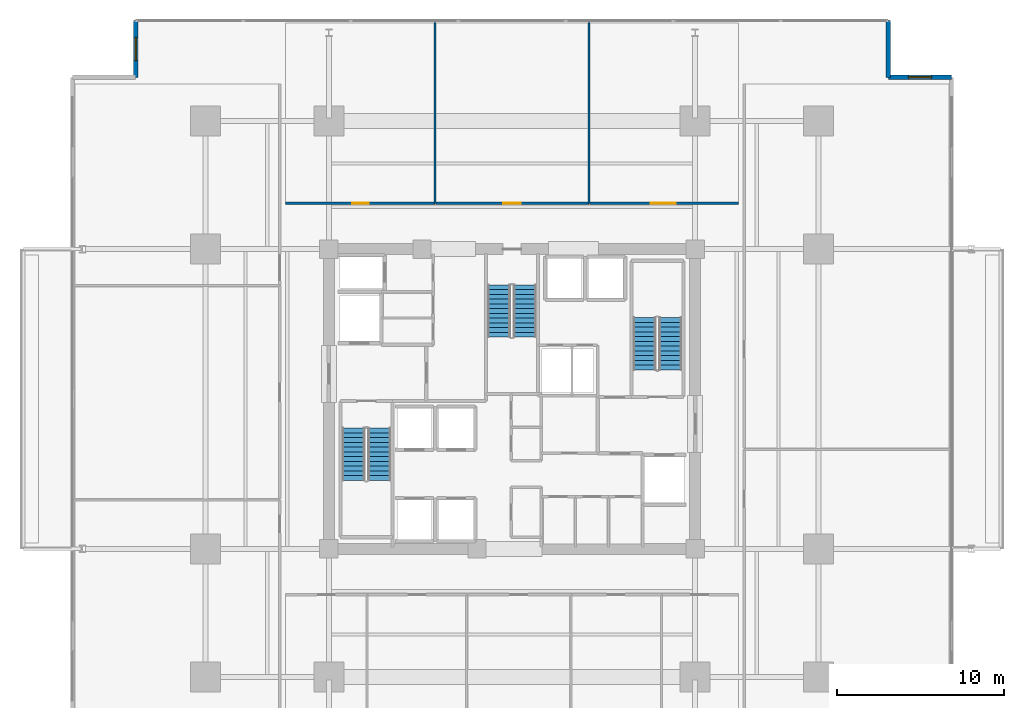
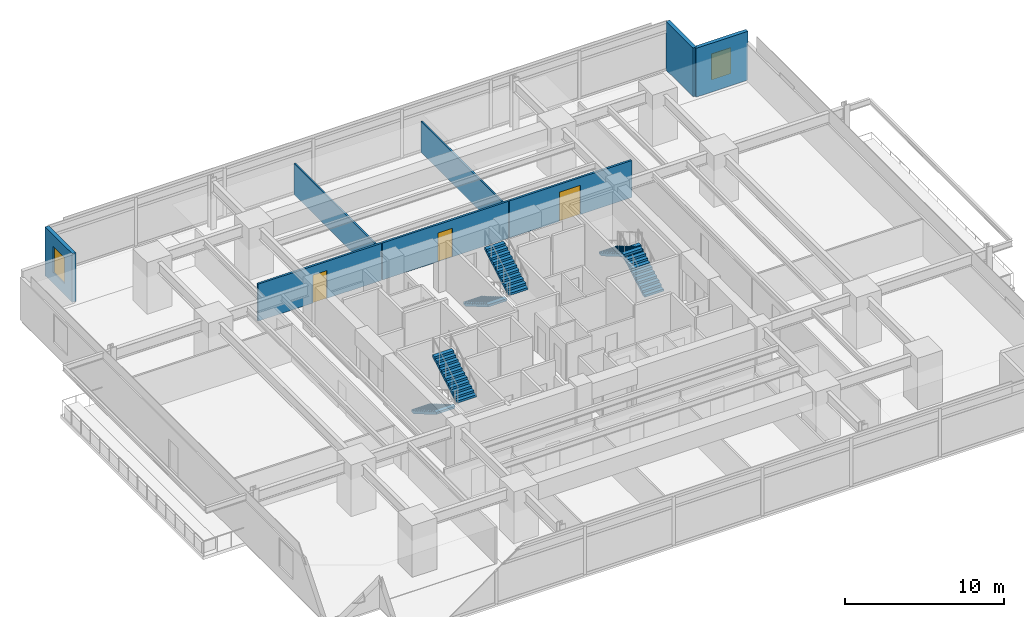
# One storey, part 18 of 22: 8 walls, 6 stair flights, 3 doors, 2 windows, 5 openings, 3 elements without a shape of their own.
"""IFC4 building model written with IfcOpenShell, lengths in metres."""

from ifc_helpers import new_model, si_unit, direction, frame, frame_2d, origin, place, context, subcontext, project, spatial, polyline, rectangle, outline, extrude, material, layer, layer_set, type_object, element, fill, aggregate, save


model = new_model("IFC4")

# Units and contexts
model_context = context("Model", 3, precision=1e-05, world=origin(), true_north=direction((0.0, 1.0)))
body_context = subcontext(model_context, "Body", "Model", "MODEL_VIEW")
ifc_project = project(units=[si_unit("LENGTHUNIT", "METRE"), si_unit("AREAUNIT", "SQUARE_METRE"), si_unit("VOLUMEUNIT", "CUBIC_METRE"), si_unit("PLANEANGLEUNIT", "RADIAN"), si_unit("MASSUNIT", "GRAM", prefix="KILO")], contexts=[model_context])

# Site, building, storey
site_placement = place(None, origin())
site = spatial("IfcSite", under=ifc_project, at=site_placement, CompositionType="ELEMENT")
building_placement = place(site_placement, origin())
building = spatial("IfcBuilding", under=site, at=building_placement, Name="Kovane Verandah Tower", CompositionType="ELEMENT")
storey_placement = place(building_placement, frame((0.0, 0.0, 99.60009765625)))
storey = spatial("IfcBuildingStorey", under=building, at=storey_placement, Name="L23", CompositionType="ELEMENT", Elevation=99.60009765625)

# Wall, opening, door
ifc_material_1 = material(Name="Fire-Rated Gypsum Stud Partition", Category="gypsum")
ifc_layer_1 = layer(ifc_material_1, 0.14990234375)
ifc_layer_set_1 = layer_set([ifc_layer_1], Name="Fire-Rated Gypsum Stud Partition")
wall_type_1 = type_object("IfcWallType", Name="WL-COR-150", PredefinedType="PARTITIONING", material=ifc_layer_set_1)
wall_1_placement = place(storey_placement, frame((26.39990234375, 39.25, 0.0), z_axis=(0.0, 0.0, 1.0), x_axis=(1.0, 0.0, 0.0)))
wall_1 = element("IfcWall", 1, at=wall_1_placement, inside=storey, type_object=wall_type_1, Name="L23 Open Plan Office N1 Corridor Partition", PredefinedType="PARTITIONING", context=body_context, shape_type="SweptSolid", body=[
    extrude(rectangle(XDim=8.97607421875, YDim=0.14990234375, at=frame_2d((4.488037109375, 0.0))), origin(), (0.0, 0.0, 1.0), 2.849853515625),
])
opening_1_placement = place(wall_1_placement, frame((4.0029296875, 0.0, 0.0)))
opening_1 = element("IfcOpeningElement", 2, at=opening_1_placement, cuts=wall_1, Name="Opening DR-L23-021", PredefinedType="OPENING", context=body_context, shape_type="SweptSolid", body=[
    extrude(rectangle(XDim=1.0, YDim=2.14990234375, at=frame_2d((0.5, 1.074951171875))), frame((0.0, 0.074951171875, 0.0), z_axis=(0.0, -1.0, 0.0), x_axis=(1.0, 0.0, 0.0)), (0.0, 0.0, 1.0), 0.14990234375),
])
ifc_material_2 = material(Name="FSC Spotted-Gum Timber Fire-Rated Office Door", Category="wood")
door_type_1 = type_object("IfcDoorType", Name="DR-OFF-1000", OperationType="SINGLE_SWING_LEFT", PredefinedType="DOOR", material=ifc_material_2)
door_1_placement = place(opening_1_placement, origin())
door_1 = element("IfcDoor", 3, at=door_1_placement, inside=storey, type_object=door_type_1, Name="L23 Open Plan Office N1 Entrance Door", OperationType="SINGLE_SWING_LEFT", OverallHeight=2.14990234375, OverallWidth=1.0, PredefinedType="DOOR", context=body_context, shape_type="SweptSolid", body=[
    extrude(rectangle(XDim=1.0, YDim=2.14990234375, at=frame_2d((0.5, 1.074951171875))), frame((0.0, 0.02490234375, 0.0), z_axis=(0.0, -1.0, 0.0), x_axis=(1.0, 0.0, 0.0)), (0.0, 0.0, 1.0), 0.050048828125),
])
fill(opening_1, door_1)

wall_2_placement = place(storey_placement, frame((35.446044921875, 39.25, 0.0), z_axis=(0.0, 0.0, 1.0), x_axis=(1.0, 0.0, 0.0)))
wall_2 = element("IfcWall", 4, at=wall_2_placement, inside=storey, type_object=wall_type_1, Name="L23 Executive Office N2 Corridor Partition", PredefinedType="PARTITIONING", context=body_context, shape_type="SweptSolid", body=[
    extrude(rectangle(XDim=9.177978515625, YDim=0.14990234375, at=frame_2d((4.5888671875, 0.0))), origin(), (0.0, 0.0, 1.0), 2.849853515625),
])
opening_2_placement = place(wall_2_placement, frame((4.029052734375, 0.0, 0.0)))
opening_2 = element("IfcOpeningElement", 5, at=opening_2_placement, cuts=wall_2, Name="Opening DR-L23-022", PredefinedType="OPENING", context=body_context, shape_type="SweptSolid", body=[
    extrude(rectangle(XDim=1.050048828125, YDim=2.199951171875, at=frame_2d((0.52490234375, 1.10009765625))), frame((0.0, 0.074951171875, 0.0), z_axis=(0.0, -1.0, 0.0), x_axis=(1.0, 0.0, 0.0)), (0.0, 0.0, 1.0), 0.14990234375),
])
ifc_material_3 = material(Name="FSC Blackbutt Timber Fire-Rated Executive Door", Category="wood")
door_type_2 = type_object("IfcDoorType", Name="DR-EXEC-1050", OperationType="SINGLE_SWING_LEFT", PredefinedType="DOOR", material=ifc_material_3)
door_2_placement = place(opening_2_placement, origin())
door_2 = element("IfcDoor", 6, at=door_2_placement, inside=storey, type_object=door_type_2, Name="L23 Executive Office N2 Entrance Door", OperationType="SINGLE_SWING_RIGHT", OverallHeight=2.199951171875, OverallWidth=1.050048828125, PredefinedType="DOOR", context=body_context, shape_type="SweptSolid", body=[
    extrude(rectangle(XDim=1.050048828125, YDim=2.199951171875, at=frame_2d((0.52490234375, 1.10009765625))), frame((0.0, 0.02490234375, 0.0), z_axis=(0.0, -1.0, 0.0), x_axis=(1.0, 0.0, 0.0)), (0.0, 0.0, 1.0), 0.050048828125),
])
fill(opening_2, door_2)

wall_3_placement = place(storey_placement, frame((44.694091796875, 39.25, 0.0), z_axis=(0.0, 0.0, 1.0), x_axis=(1.0, 0.0, 0.0)))
wall_3 = element("IfcWall", 7, at=wall_3_placement, inside=storey, type_object=wall_type_1, Name="L23 Client Boardroom N3 Corridor Partition", PredefinedType="PARTITIONING", context=body_context, shape_type="SweptSolid", body=[
    extrude(rectangle(XDim=8.906005859375, YDim=0.14990234375, at=frame_2d((4.453125, 0.0))), origin(), (0.0, 0.0, 1.0), 2.849853515625),
])
opening_3_placement = place(wall_3_placement, frame((3.653076171875, 0.0, 0.0)))
opening_3 = element("IfcOpeningElement", 8, at=opening_3_placement, cuts=wall_3, Name="Opening DR-L23-023", PredefinedType="OPENING", context=body_context, shape_type="SweptSolid", body=[
    extrude(rectangle(XDim=1.5, YDim=2.25, at=frame_2d((0.75, 1.125))), frame((0.0, 0.074951171875, 0.0), z_axis=(0.0, -1.0, 0.0), x_axis=(1.0, 0.0, 0.0)), (0.0, 0.0, 1.0), 0.14990234375),
])
ifc_material_4 = material(Name="Glazed Timber Fire-Rated Double Door", Category="wood")
door_type_3 = type_object("IfcDoorType", Name="DR-CONF-1500", OperationType="DOUBLE_DOOR_SINGLE_SWING", PredefinedType="DOOR", material=ifc_material_4)
door_3_placement = place(opening_3_placement, origin())
door_3 = element("IfcDoor", 9, at=door_3_placement, inside=storey, type_object=door_type_3, Name="L23 Client Boardroom N3 Entrance Door", OperationType="DOUBLE_DOOR_SINGLE_SWING", OverallHeight=2.25, OverallWidth=1.5, PredefinedType="DOOR", context=body_context, shape_type="SweptSolid", body=[
    extrude(rectangle(XDim=1.5, YDim=2.25, at=frame_2d((0.75, 1.125))), frame((0.0, 0.02490234375, 0.0), z_axis=(0.0, -1.0, 0.0), x_axis=(1.0, 0.0, 0.0)), (0.0, 0.0, 1.0), 0.050048828125),
])
fill(opening_3, door_3)

# Walls
ifc_material_5 = material(Name="Acoustic Fire-Rated Gypsum Partition", Category="gypsum")
ifc_layer_2 = layer(ifc_material_5, 0.1201171875)
ifc_layer_set_2 = layer_set([ifc_layer_2], Name="Acoustic Fire-Rated Gypsum Partition")
wall_type_2 = type_object("IfcWallType", Name="WL-PART-120", PredefinedType="PARTITIONING", material=ifc_layer_set_2)
for number, where, z_axis, x_axis, name in (
    (10, (35.3759765625, 39.25, 0.0), (0.0, 0.0, 1.0), (0.0, 1.0, 0.0), "L23 Open Plan Office N1 Dividing Partition"),
    (11, (44.6240234375, 39.25, 0.0), (0.0, 0.0, 1.0), (0.0, 1.0, 0.0), "L23 Executive Office N2 Dividing Partition"),
):
    element("IfcWall", number, at=place(storey_placement, frame(where, z_axis=z_axis, x_axis=x_axis)), inside=storey, type_object=wall_type_2, Name=name, PredefinedType="PARTITIONING", context=body_context, shape_type="SweptSolid", body=[
        extrude(rectangle(XDim=10.868896484375, YDim=0.1201171875, at=frame_2d((5.4345703125, 0.0))), origin(), (0.0, 0.0, 1.0), 2.389892578125),
    ])

# Wall, opening, window
ifc_material_6 = material(Name="Concrete C45/55 Insulated Spandrel Wall", Category="concrete")
ifc_layer_3 = layer(ifc_material_6, 0.260009765625)
ifc_layer_set_3 = layer_set([ifc_layer_3], Name="Concrete C45/55 Insulated Spandrel Wall")
wall_type_3 = type_object("IfcWallType", Name="WL-SPANDREL-260", PredefinedType="PARAPET", material=ifc_layer_set_3)
wall_4_placement = place(storey_placement, frame((66.398681640625, 46.819091796875, 0.0), z_axis=(0.0, 0.0, 1.0), x_axis=(-1.0, 0.0, 0.0)))
wall_4 = element("IfcWall", 12, at=wall_4_placement, inside=storey, type_object=wall_type_3, Name="L23 NE Notch Cheek Wall 1", PredefinedType="PARAPET", context=body_context, shape_type="SweptSolid", body=[
    extrude(rectangle(XDim=3.800048828125, YDim=0.260009765625, at=frame_2d((1.89990234375, 0.0))), origin(), (0.0, 0.0, 1.0), 3.760009765625),
])
opening_4_placement = place(wall_4_placement, frame((1.199951171875, 0.0, 0.85009765625)))
opening_4 = element("IfcOpeningElement", 13, at=opening_4_placement, cuts=wall_4, Name="Opening W-01", PredefinedType="OPENING", context=body_context, shape_type="SweptSolid", body=[
    extrude(rectangle(XDim=1.39990234375, YDim=2.0, at=frame_2d((0.699951171875, 1.0))), frame((0.0, 0.1298828125, 0.0), z_axis=(0.0, -1.0, 0.0), x_axis=(1.0, 0.0, 0.0)), (0.0, 0.0, 1.0), 0.260009765625),
])
ifc_material_7 = material(Name="Clear Low-E Laminated Double Glazing in Anodised Frame", Category="glass")
window_type = type_object("IfcWindowType", Name="WN-OPER-1400x2000", PartitioningType="SINGLE_PANEL", PredefinedType="WINDOW", material=ifc_material_7)
window_1_placement = place(opening_4_placement, origin())
window_1 = element("IfcWindow", 14, at=window_1_placement, inside=storey, type_object=window_type, Name="L23 NE Re-Entrant Corner Operable Window", OverallHeight=2.0, OverallWidth=1.39990234375, PartitioningType="SINGLE_PANEL", PredefinedType="WINDOW", context=body_context, shape_type="SweptSolid", body=[
    extrude(rectangle(XDim=1.39990234375, YDim=2.0, at=frame_2d((0.699951171875, 1.0))), frame((0.0, 0.030029296875, 0.0), z_axis=(0.0, -1.0, 0.0), x_axis=(1.0, 0.0, 0.0)), (0.0, 0.0, 1.0), 0.06005859375),
])
fill(opening_4, window_1)

# Wall
wall_5_placement = place(storey_placement, frame((62.5986328125, 46.819091796875, 0.0), z_axis=(0.0, 0.0, 1.0), x_axis=(0.0, 1.0, 0.0)))
element("IfcWall", 15, at=wall_5_placement, inside=storey, type_object=wall_type_3, Name="L23 NE Notch Cheek Wall 2", PredefinedType="PARAPET", context=body_context, shape_type="SweptSolid", body=[
    extrude(rectangle(XDim=3.39990234375, YDim=0.260009765625, at=frame_2d((1.699951171875, 0.0))), origin(), (0.0, 0.0, 1.0), 3.760009765625),
])

# Wall, opening, window
wall_6_placement = place(storey_placement, frame((17.4013671875, 50.218994140625, 0.0), z_axis=(0.0, 0.0, 1.0), x_axis=(0.0, -1.0, 0.0)))
wall_6 = element("IfcWall", 16, at=wall_6_placement, inside=storey, type_object=wall_type_3, Name="L23 NW Notch Cheek Wall 1", PredefinedType="PARAPET", context=body_context, shape_type="SweptSolid", body=[
    extrude(rectangle(XDim=3.39990234375, YDim=0.260009765625, at=frame_2d((1.699951171875, 0.0))), origin(), (0.0, 0.0, 1.0), 3.760009765625),
])
opening_5_placement = place(wall_6_placement, frame((1.0, 0.0, 0.85009765625)))
opening_5 = element("IfcOpeningElement", 17, at=opening_5_placement, cuts=wall_6, Name="Opening W-01", PredefinedType="OPENING", context=body_context, shape_type="SweptSolid", body=[
    extrude(rectangle(XDim=1.39990234375, YDim=2.0, at=frame_2d((0.699951171875, 1.0))), frame((0.0, 0.1298828125, 0.0), z_axis=(0.0, -1.0, 0.0), x_axis=(1.0, 0.0, 0.0)), (0.0, 0.0, 1.0), 0.260009765625),
])
window_2_placement = place(opening_5_placement, origin())
window_2 = element("IfcWindow", 18, at=window_2_placement, inside=storey, type_object=window_type, Name="L23 NW Re-Entrant Corner Operable Window", OverallHeight=2.0, OverallWidth=1.39990234375, PartitioningType="SINGLE_PANEL", PredefinedType="WINDOW", context=body_context, shape_type="SweptSolid", body=[
    extrude(rectangle(XDim=1.39990234375, YDim=2.0, at=frame_2d((0.699951171875, 1.0))), frame((0.0, 0.030029296875, 0.0), z_axis=(0.0, -1.0, 0.0), x_axis=(1.0, 0.0, 0.0)), (0.0, 0.0, 1.0), 0.06005859375),
])
fill(opening_5, window_2)

# Stair, stair flights
ifc_material_8 = material(Name="Concrete C45/55", Category="concrete")
stair_type = type_object("IfcStairType", Name="ST-CORE-1380", PredefinedType="HALF_TURN_STAIR", material=ifc_material_8)
stair_1_placement = place(storey_placement, origin())
stair_1 = element("IfcStair", 19, at=stair_1_placement, inside=storey, type_object=stair_type, Name="L23 Exit Stair ST-01", PredefinedType="HALF_TURN_STAIR")
stair_flight_type = type_object("IfcStairFlightType", Name="STF-CORE-1380", PredefinedType="STRAIGHT", material=ifc_material_8)
stair_flight_1_placement = place(storey_placement, frame((30.489990234375, 25.75, 0.0), z_axis=(0.0, 0.0, 1.0), x_axis=(0.0, -1.0, 0.0)))
stair_flight_1 = element("IfcStairFlight", 20, at=stair_flight_1_placement, type_object=stair_flight_type, Name="ST-01 flight 1", NumberOfRisers=12, NumberOfTreads=11, PredefinedType="STRAIGHT", RiserHeight=0.166666667, TreadLength=0.285, context=body_context, shape_type="SweptSolid", body=[
    extrude(outline(polyline([(0.0, 0.0), (0.0, 0.166748046875), (0.284912109375, 0.166748046875), (0.284912109375, 0.333251953125), (0.570068359375, 0.333251953125), (0.570068359375, 0.5), (0.85498046875, 0.5), (0.85498046875, 0.666748046875), (1.139892578125, 0.666748046875), (1.139892578125, 0.833251953125), (1.425048828125, 0.833251953125), (1.425048828125, 1.0), (1.7099609375, 1.0), (1.7099609375, 1.166748046875), (1.9951171875, 1.166748046875), (1.9951171875, 1.333251953125), (2.280029296875, 1.333251953125), (2.280029296875, 1.5), (2.56494140625, 1.5), (2.56494140625, 1.666748046875), (2.85009765625, 1.666748046875), (2.85009765625, 1.833251953125), (3.135009765625, 1.833251953125), (3.135009765625, 2.0), (3.135009765625, 1.65966796875), (0.296875, 0.0), (0.0, 0.0)])), frame((0.0, 0.68994140625, 0.0), z_axis=(0.0, -1.0, 0.0), x_axis=(1.0, 0.0, 0.0)), (0.0, 0.0, 1.0), 1.3798828125),
])
stair_flight_2_placement = place(storey_placement, frame((32.030029296875, 22.614990234375, 2.0), z_axis=(0.0, 0.0, 1.0), x_axis=(0.0, 1.0, 0.0)))
stair_flight_2 = element("IfcStairFlight", 21, at=stair_flight_2_placement, type_object=stair_flight_type, Name="ST-01 flight 2", NumberOfRisers=12, NumberOfTreads=11, PredefinedType="STRAIGHT", RiserHeight=0.166666667, TreadLength=0.285, context=body_context, shape_type="SweptSolid", body=[
    extrude(outline(polyline([(0.0, 0.0), (0.0, 0.166748046875), (0.284912109375, 0.166748046875), (0.284912109375, 0.333251953125), (0.570068359375, 0.333251953125), (0.570068359375, 0.5), (0.85498046875, 0.5), (0.85498046875, 0.666748046875), (1.139892578125, 0.666748046875), (1.139892578125, 0.833251953125), (1.425048828125, 0.833251953125), (1.425048828125, 1.0), (1.7099609375, 1.0), (1.7099609375, 1.166748046875), (1.9951171875, 1.166748046875), (1.9951171875, 1.333251953125), (2.280029296875, 1.333251953125), (2.280029296875, 1.5), (2.56494140625, 1.5), (2.56494140625, 1.666748046875), (2.85009765625, 1.666748046875), (2.85009765625, 1.833251953125), (3.135009765625, 1.833251953125), (3.135009765625, 2.0), (3.135009765625, 1.65966796875), (0.296875, 0.0), (0.0, 0.0)])), frame((0.0, 0.68994140625, 0.0), z_axis=(0.0, -1.0, 0.0), x_axis=(1.0, 0.0, 0.0)), (0.0, 0.0, 1.0), 1.3798828125),
])
aggregate(stair_1, [stair_flight_1, stair_flight_2])

stair_2_placement = place(storey_placement, origin())
stair_2 = element("IfcStair", 22, at=stair_2_placement, inside=storey, type_object=stair_type, Name="L23 Exit Stair ST-02", PredefinedType="HALF_TURN_STAIR")
stair_flight_3_placement = place(storey_placement, frame((49.510009765625, 29.25, 0.0), z_axis=(0.0, 0.0, 1.0), x_axis=(0.0, 1.0, 0.0)))
stair_flight_3 = element("IfcStairFlight", 23, at=stair_flight_3_placement, type_object=stair_flight_type, Name="ST-02 flight 1", NumberOfRisers=12, NumberOfTreads=11, PredefinedType="STRAIGHT", RiserHeight=0.166666667, TreadLength=0.285, context=body_context, shape_type="SweptSolid", body=[
    extrude(outline(polyline([(0.0, 0.0), (0.0, 0.166748046875), (0.284912109375, 0.166748046875), (0.284912109375, 0.333251953125), (0.570068359375, 0.333251953125), (0.570068359375, 0.5), (0.85498046875, 0.5), (0.85498046875, 0.666748046875), (1.139892578125, 0.666748046875), (1.139892578125, 0.833251953125), (1.425048828125, 0.833251953125), (1.425048828125, 1.0), (1.7099609375, 1.0), (1.7099609375, 1.166748046875), (1.9951171875, 1.166748046875), (1.9951171875, 1.333251953125), (2.280029296875, 1.333251953125), (2.280029296875, 1.5), (2.56494140625, 1.5), (2.56494140625, 1.666748046875), (2.85009765625, 1.666748046875), (2.85009765625, 1.833251953125), (3.135009765625, 1.833251953125), (3.135009765625, 2.0), (3.135009765625, 1.65966796875), (0.296875, 0.0), (0.0, 0.0)])), frame((0.0, 0.68994140625, 0.0), z_axis=(0.0, -1.0, 0.0), x_axis=(1.0, 0.0, 0.0)), (0.0, 0.0, 1.0), 1.3798828125),
])
stair_flight_4_placement = place(storey_placement, frame((47.969970703125, 32.385009765625, 2.0), z_axis=(0.0, 0.0, 1.0), x_axis=(0.0, -1.0, 0.0)))
stair_flight_4 = element("IfcStairFlight", 24, at=stair_flight_4_placement, type_object=stair_flight_type, Name="ST-02 flight 2", NumberOfRisers=12, NumberOfTreads=11, PredefinedType="STRAIGHT", RiserHeight=0.166666667, TreadLength=0.285, context=body_context, shape_type="SweptSolid", body=[
    extrude(outline(polyline([(0.0, 0.0), (0.0, 0.166748046875), (0.284912109375, 0.166748046875), (0.284912109375, 0.333251953125), (0.570068359375, 0.333251953125), (0.570068359375, 0.5), (0.85498046875, 0.5), (0.85498046875, 0.666748046875), (1.139892578125, 0.666748046875), (1.139892578125, 0.833251953125), (1.425048828125, 0.833251953125), (1.425048828125, 1.0), (1.7099609375, 1.0), (1.7099609375, 1.166748046875), (1.9951171875, 1.166748046875), (1.9951171875, 1.333251953125), (2.280029296875, 1.333251953125), (2.280029296875, 1.5), (2.56494140625, 1.5), (2.56494140625, 1.666748046875), (2.85009765625, 1.666748046875), (2.85009765625, 1.833251953125), (3.135009765625, 1.833251953125), (3.135009765625, 2.0), (3.135009765625, 1.65966796875), (0.296875, 0.0), (0.0, 0.0)])), frame((0.0, 0.68994140625, 0.0), z_axis=(0.0, -1.0, 0.0), x_axis=(1.0, 0.0, 0.0)), (0.0, 0.0, 1.0), 1.3798828125),
])
aggregate(stair_2, [stair_flight_3, stair_flight_4])

stair_3_placement = place(storey_placement, origin())
stair_3 = element("IfcStair", 25, at=stair_3_placement, inside=storey, type_object=stair_type, Name="L23 Exit Stair ST-03", PredefinedType="HALF_TURN_STAIR")
stair_flight_5_placement = place(storey_placement, frame((39.22998046875, 34.35009765625, 0.0), z_axis=(0.0, 0.0, 1.0), x_axis=(0.0, -1.0, 0.0)))
stair_flight_5 = element("IfcStairFlight", 26, at=stair_flight_5_placement, type_object=stair_flight_type, Name="ST-03 flight 1", NumberOfRisers=12, NumberOfTreads=11, PredefinedType="STRAIGHT", RiserHeight=0.166666667, TreadLength=0.285, context=body_context, shape_type="SweptSolid", body=[
    extrude(outline(polyline([(0.0, 0.0), (0.0, 0.166748046875), (0.284912109375, 0.166748046875), (0.284912109375, 0.333251953125), (0.570068359375, 0.333251953125), (0.570068359375, 0.5), (0.85498046875, 0.5), (0.85498046875, 0.666748046875), (1.139892578125, 0.666748046875), (1.139892578125, 0.833251953125), (1.425048828125, 0.833251953125), (1.425048828125, 1.0), (1.7099609375, 1.0), (1.7099609375, 1.166748046875), (1.9951171875, 1.166748046875), (1.9951171875, 1.333251953125), (2.280029296875, 1.333251953125), (2.280029296875, 1.5), (2.56494140625, 1.5), (2.56494140625, 1.666748046875), (2.85009765625, 1.666748046875), (2.85009765625, 1.833251953125), (3.135009765625, 1.833251953125), (3.135009765625, 2.0), (3.135009765625, 1.65966796875), (0.296875, 0.0), (0.0, 0.0)])), frame((0.0, 0.68994140625, 0.0), z_axis=(0.0, -1.0, 0.0), x_axis=(1.0, 0.0, 0.0)), (0.0, 0.0, 1.0), 1.3798828125),
])
stair_flight_6_placement = place(storey_placement, frame((40.77001953125, 31.215087890625, 2.0), z_axis=(0.0, 0.0, 1.0), x_axis=(0.0, 1.0, 0.0)))
stair_flight_6 = element("IfcStairFlight", 27, at=stair_flight_6_placement, type_object=stair_flight_type, Name="ST-03 flight 2", NumberOfRisers=12, NumberOfTreads=11, PredefinedType="STRAIGHT", RiserHeight=0.166666667, TreadLength=0.285, context=body_context, shape_type="SweptSolid", body=[
    extrude(outline(polyline([(0.0, 0.0), (0.0, 0.166748046875), (0.284912109375, 0.166748046875), (0.284912109375, 0.333251953125), (0.570068359375, 0.333251953125), (0.570068359375, 0.5), (0.85498046875, 0.5), (0.85498046875, 0.666748046875), (1.139892578125, 0.666748046875), (1.139892578125, 0.833251953125), (1.425048828125, 0.833251953125), (1.425048828125, 1.0), (1.7099609375, 1.0), (1.7099609375, 1.166748046875), (1.9951171875, 1.166748046875), (1.9951171875, 1.333251953125), (2.280029296875, 1.333251953125), (2.280029296875, 1.5), (2.56494140625, 1.5), (2.56494140625, 1.666748046875), (2.85009765625, 1.666748046875), (2.85009765625, 1.833251953125), (3.135009765625, 1.833251953125), (3.135009765625, 2.0), (3.135009765625, 1.65966796875), (0.296875, 0.0), (0.0, 0.0)])), frame((0.0, 0.68994140625, 0.0), z_axis=(0.0, -1.0, 0.0), x_axis=(1.0, 0.0, 0.0)), (0.0, 0.0, 1.0), 1.3798828125),
])
aggregate(stair_3, [stair_flight_5, stair_flight_6])

save(model, "model.ifc")
